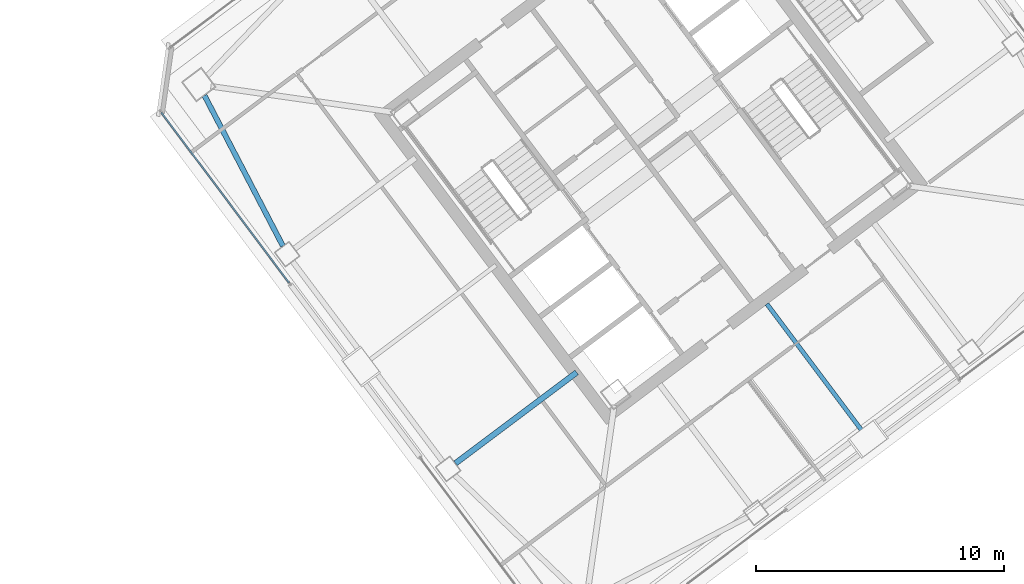
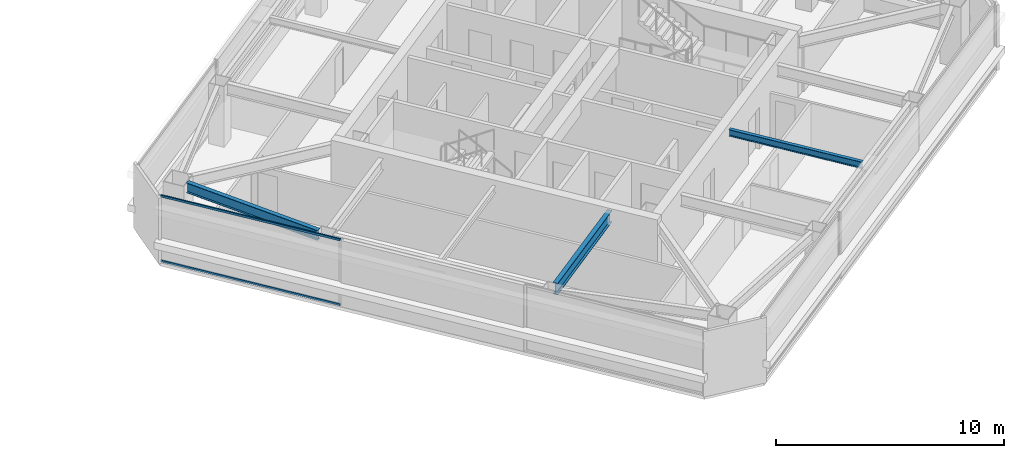
# One storey, part 19 of 39: 3 beams, 2 members, 1 element without a shape of its own.
"""IFC4 building model written with IfcOpenShell, lengths in metres."""

import ifcopenshell
import ifcopenshell.guid

model = None  # the IFC model being written
_history = None  # IfcOwnerHistory: only IFC2X3 demands one
_inside = {}  # id of a spatial element -> (the spatial element, [elements in it])
_under = {}  # id of a project, library or spatial element -> (it, [spatial elements below it])
_declared = {}  # id of a project -> (the project, [libraries it declares])
_typed = {}  # id of a type object -> (the type object, [elements of that type])
_made_of = {}  # id of a material, layer set ... -> (it, [elements and type objects made of it])


def new_model(schema):
    """Start an empty IFC model of exactly this schema.

    Asked for "IFC4X3", IfcOpenShell would pick the latest addendum, in which some entities
    have other attributes; the version numbers below select the first issue.
    IFC2X3 requires an IfcOwnerHistory on every rooted entity: one is made here for all.
    """
    global model, _history
    if schema == "IFC4X3":
        model = ifcopenshell.file(schema_version=(4, 3, 0, 0))
    else:
        model = ifcopenshell.file(schema=schema)
    _inside.clear()
    _under.clear()
    _declared.clear()
    _typed.clear()
    _made_of.clear()
    _history = None
    if model.schema == "IFC2X3":
        org = make("IfcOrganization", Name="unknown")
        user = make(
            "IfcPersonAndOrganization",
            ThePerson=make("IfcPerson", FamilyName="unknown"),
            TheOrganization=org,
        )
        app = make(
            "IfcApplication",
            ApplicationDeveloper=org,
            Version="unknown",
            ApplicationFullName="unknown",
            ApplicationIdentifier="unknown",
        )
        _history = make(
            "IfcOwnerHistory",
            OwningUser=user,
            OwningApplication=app,
            ChangeAction="ADDED",
            CreationDate=0,
        )
    return model


def make(cls, **values):
    """One entity of the class cls with the attributes given. An attribute that is None is left unset."""
    return model.create_entity(
        cls, **{name: value for name, value in values.items() if value is not None}
    )


def rooted(cls, **values):
    """An entity with a GlobalId (a new one), such as an element, a storey or a relation."""
    return make(cls, GlobalId=ifcopenshell.guid.new(), OwnerHistory=_history, **values)


def si_unit(unit_type, name, prefix=None):
    """IfcSIUnit, for example si_unit("LENGTHUNIT", "METRE", prefix="MILLI")."""
    return make("IfcSIUnit", UnitType=unit_type, Prefix=prefix, Name=name)


def assignment(units):
    """IfcUnitAssignment: the units of a project."""
    return None if units is None else make("IfcUnitAssignment", Units=units)


def point(xyz):
    """IfcCartesianPoint."""
    return None if xyz is None else make("IfcCartesianPoint", Coordinates=xyz)


def direction(xyz):
    """IfcDirection."""
    return None if xyz is None else make("IfcDirection", DirectionRatios=xyz)


def frame(location, z_axis=None, x_axis=None):
    """IfcAxis2Placement3D, a coordinate frame: its origin and axes. An axis left out is left unset."""
    return make(
        "IfcAxis2Placement3D",
        Location=point(location),
        Axis=direction(z_axis),
        RefDirection=direction(x_axis),
    )


def frame_2d(location, x_axis=None):
    """IfcAxis2Placement2D, a coordinate frame in the plane: its origin and x axis."""
    return make(
        "IfcAxis2Placement2D", Location=point(location), RefDirection=direction(x_axis)
    )


def origin():
    """The frame at (0, 0, 0) with its axes left unset."""
    return frame((0.0, 0.0, 0.0))


def origin_2d():
    """The frame at (0, 0) in the plane with its x axis left unset."""
    return frame_2d((0.0, 0.0))


def place(relative_to, where):
    """IfcLocalPlacement: puts the frame where relative to a parent placement (None: the world)."""
    return make(
        "IfcLocalPlacement", PlacementRelTo=relative_to, RelativePlacement=where
    )


def context(
    kind, dimensions, precision=None, world=None, true_north=None, identifier=None
):
    """IfcGeometricRepresentationContext, for example the 3D "Model" context."""
    return make(
        "IfcGeometricRepresentationContext",
        ContextIdentifier=identifier,
        ContextType=kind,
        CoordinateSpaceDimension=dimensions,
        Precision=precision,
        WorldCoordinateSystem=world,
        TrueNorth=true_north,
    )


def subcontext(parent, identifier, kind, view, scale=None):
    """IfcGeometricRepresentationSubContext, for example "Body" below "Model"."""
    return make(
        "IfcGeometricRepresentationSubContext",
        ContextIdentifier=identifier,
        ContextType=kind,
        ParentContext=parent,
        TargetScale=scale,
        TargetView=view,
    )


def project(units=None, contexts=None):
    """IfcProject with its units and contexts."""
    return rooted(
        "IfcProject",
        Name="project",
        RepresentationContexts=contexts,
        UnitsInContext=assignment(units),
    )


def spatial(cls, under=None, at=None, **own):
    """A site, building, storey or space (cls), placed at a placement, below another one or the project."""
    s = rooted(cls, ObjectPlacement=at, **own)
    if under is not None:
        _under.setdefault(under.id(), (under, []))[1].append(s)
    return s


def profile(cls, at=None, kind="AREA", **sizes):
    """A parametric profile (cls). Its sizes go by their IFC names, for example OverallWidth=200.0."""
    return make(cls, ProfileType=kind, Position=at, **sizes)


def hollow_rectangle(**sizes):
    """IfcRectangleHollowProfileDef."""
    return profile("IfcRectangleHollowProfileDef", **sizes)


def i_section(**sizes):
    """IfcIShapeProfileDef."""
    return profile("IfcIShapeProfileDef", **sizes)


def extrude(swept, where, along, depth):
    """IfcExtrudedAreaSolid: the profile swept, set in the frame where, extruded along a direction by depth."""
    return make(
        "IfcExtrudedAreaSolid",
        SweptArea=swept,
        Position=where,
        ExtrudedDirection=direction(along),
        Depth=depth,
    )


def shape(context_of_items, identifier, shape_type, items):
    """IfcShapeRepresentation: the items that make up one representation, for example the "Body"."""
    return make(
        "IfcShapeRepresentation",
        ContextOfItems=context_of_items,
        RepresentationIdentifier=identifier,
        RepresentationType=shape_type,
        Items=items,
    )


def material(Name=None, Category=None):
    """IfcMaterial."""
    return make("IfcMaterial", Name=Name, Category=Category)


def material_profile(
    of_material, cross_section, Name=None, Category=None, Priority=None
):
    """IfcMaterialProfile: a cross section and its material."""
    return make(
        "IfcMaterialProfile",
        Name=Name,
        Material=of_material,
        Profile=cross_section,
        Priority=Priority,
        Category=Category,
    )


def profile_set(profiles, Name=None, composite=None):
    """IfcMaterialProfileSet."""
    return make(
        "IfcMaterialProfileSet",
        Name=Name,
        MaterialProfiles=profiles,
        CompositeProfile=composite,
    )


def made_of(thing, what):
    """Note that an element or type object is made of a material, layer set ...; save() writes the relation."""
    if what is not None:
        _made_of.setdefault(what.id(), (what, []))[1].append(thing)
    return thing


def type_object(cls, material=None, **own):
    """A type object (cls), such as IfcWallType, which elements share."""
    return made_of(rooted(cls, **own), material)


def element(
    cls,
    number,
    at=None,
    inside=None,
    cuts=None,
    type_object=None,
    material=None,
    context=None,
    identifier="Body",
    shape_type=None,
    held_by="IfcProductDefinitionShape",
    body=None,
    shapes=None,
    **own,
):
    """One element of the class cls, such as IfcWall. Its Tag is "e" and its number.

    at: its placement. inside: the storey or other place that contains it. cuts: it is an
    opening in that element (IfcRelVoidsElement). A single representation is given by context,
    identifier, shape_type and body (its items); several are given by shapes. held_by: the class
    of the entity that holds the representations. save() writes the other relations.
    """
    e = rooted(cls, Tag="e%d" % number, ObjectPlacement=at, **own)
    if body is not None:
        shapes = [shape(context, identifier, shape_type, body)]
    if shapes is not None:
        e.Representation = make(held_by, Representations=shapes)
    if inside is not None:
        _inside.setdefault(inside.id(), (inside, []))[1].append(e)
    if cuts is not None:
        rooted(
            "IfcRelVoidsElement", RelatingBuildingElement=cuts, RelatedOpeningElement=e
        )
    if type_object is not None:
        _typed.setdefault(type_object.id(), (type_object, []))[1].append(e)
    return made_of(e, material)


def aggregate(whole, parts):
    """IfcRelAggregates: a whole, such as a stair, and the parts it consists of."""
    return rooted("IfcRelAggregates", RelatingObject=whole, RelatedObjects=parts)


def save(model, path):
    """Write the relations noted so far, then the file.

    IfcRelAggregates (storeys below a building ...), IfcRelContainedInSpatialStructure (elements
    in a storey), IfcRelDefinesByType, IfcRelAssociatesMaterial and IfcRelDeclares: one each for
    every whole, place, type object, material and project.
    """
    for whole, parts in _under.values():
        aggregate(whole, parts)
    for where, things in _inside.values():
        rooted(
            "IfcRelContainedInSpatialStructure",
            RelatedElements=things,
            RelatingStructure=where,
        )
    for kind, things in _typed.values():
        rooted("IfcRelDefinesByType", RelatedObjects=things, RelatingType=kind)
    for what, things in _made_of.values():
        rooted("IfcRelAssociatesMaterial", RelatedObjects=things, RelatingMaterial=what)
    for by, libraries in _declared.values():
        rooted("IfcRelDeclares", RelatingContext=by, RelatedDefinitions=libraries)
    model.write(path)


model = new_model("IFC4")

# Units and contexts
model_context = context("Model", 3, precision=1e-05, world=origin(), true_north=direction((0.0, 1.0)))
body_context = subcontext(model_context, "Body", "Model", "MODEL_VIEW")
ifc_project = project(units=[si_unit("LENGTHUNIT", "METRE"), si_unit("AREAUNIT", "SQUARE_METRE"), si_unit("VOLUMEUNIT", "CUBIC_METRE"), si_unit("PLANEANGLEUNIT", "RADIAN"), si_unit("MASSUNIT", "GRAM", prefix="KILO")], contexts=[model_context])

# Site, building, storey
site_placement = place(None, origin())
site = spatial("IfcSite", under=ifc_project, at=site_placement, CompositionType="ELEMENT")
building_placement = place(site_placement, origin())
building = spatial("IfcBuilding", under=site, at=building_placement, Name="Tashvorn Skyway Center", CompositionType="ELEMENT")
storey_placement = place(building_placement, frame((0.0, 0.0, 243.25)))
storey = spatial("IfcBuildingStorey", under=building, at=storey_placement, Name="L66", CompositionType="ELEMENT", Elevation=243.25)

# Beams
ifc_material_1 = material(Name="Steel ASTM A992 Grade 50", Category="steel")
ifc_material_profile_1 = material_profile(ifc_material_1, i_section(OverallWidth=0.22998046875, OverallDepth=0.616943359375, WebThickness=0.01318359375, FlangeThickness=0.022216796875, at=origin_2d()), Name="W24X94")
ifc_profile_set_1 = profile_set([ifc_material_profile_1], Name="Steel ASTM A992 Grade 50")
beam_type_1 = type_object("IfcBeamType", Name="BM-BEAM-W24X94", PredefinedType="BEAM", material=ifc_profile_set_1)
beam_1_placement = place(storey_placement, frame((106.135986328125, 19.35205078125, 2.94140625), z_axis=(0.800014407953, 0.599980788915, 0.0), x_axis=(-0.599980788915, 0.800014407953, 0.0)))
element("IfcBeam", 1, at=beam_1_placement, inside=storey, type_object=beam_type_1, Name="Tower 2 L66 Primary Floor Girder FC-W2", PredefinedType="BEAM", context=body_context, shape_type="SweptSolid", body=[
    extrude(i_section(OverallWidth=0.22998046875, OverallDepth=0.616943359375, WebThickness=0.01318359375, FlangeThickness=0.022216796875, at=origin_2d()), origin(), (0.0, 0.0, 1.0), 6.10009765625),
])
ifc_material_profile_2 = material_profile(ifc_material_1, i_section(OverallWidth=0.1708984375, OverallDepth=0.35498046875, WebThickness=0.007080078125, FlangeThickness=0.01171875, at=origin_2d()), Name="W14X34")
ifc_profile_set_2 = profile_set([ifc_material_profile_2], Name="Steel ASTM A992 Grade 50")
beam_type_2 = type_object("IfcBeamType", Name="BM-JOIST-W14X34", PredefinedType="JOIST", material=ifc_profile_set_2)
beam_2_placement = place(storey_placement, frame((118.674072265625, 25.76806640625, 3.072509765625), z_axis=(0.599981581373, -0.800013813639, 0.0), x_axis=(0.800013813639, 0.599981581373, 0.0)))
element("IfcBeam", 2, at=beam_2_placement, inside=storey, type_object=beam_type_2, Name="Tower 2 L66 Secondary Composite Joist JS", PredefinedType="JOIST", context=body_context, shape_type="SweptSolid", body=[
    extrude(i_section(OverallWidth=0.1708984375, OverallDepth=0.35498046875, WebThickness=0.007080078125, FlangeThickness=0.01171875, at=origin_2d()), origin(), (0.0, 0.0, 1.0), 6.362548828125),
])
ifc_material_profile_3 = material_profile(ifc_material_1, i_section(OverallWidth=0.2109375, OverallDepth=0.5390625, WebThickness=0.01171875, FlangeThickness=0.018798828125, at=origin_2d()), Name="W21X73")
ifc_profile_set_3 = profile_set([ifc_material_profile_3], Name="Steel ASTM A992 Grade 50")
beam_type_3 = type_object("IfcBeamType", Name="BM-SPANDREL-W21X73", PredefinedType="SPANDREL", material=ifc_profile_set_3)
beam_3_placement = place(storey_placement, frame((96.02880859375, 34.1611328125, 2.98046875), z_axis=(0.462204749472, -0.886773234579, 0.0), x_axis=(0.886773234579, 0.462204749472, 0.0)))
element("IfcBeam", 3, at=beam_3_placement, inside=storey, type_object=beam_type_3, Name="Tower 2 L66 Spandrel Beam 10", PredefinedType="SPANDREL", context=body_context, shape_type="SweptSolid", body=[
    extrude(i_section(OverallWidth=0.2109375, OverallDepth=0.5390625, WebThickness=0.01171875, FlangeThickness=0.018798828125, at=origin_2d()), origin(), (0.0, 0.0, 1.0), 6.837158203125),
])

# Curtain wall, members
ifc_material_2 = material(Name="Thermally broken bronze-anodized aluminium 6063-T6", Category="aluminium")
curtain_wall_type = type_object("IfcCurtainWallType", Name="CW-CW-Z5", PredefinedType="NOTDEFINED", material=ifc_material_2)
curtain_wall_placement = place(storey_placement, origin())
curtain_wall = element("IfcCurtainWall", 4, at=curtain_wall_placement, inside=storey, type_object=curtain_wall_type, Name="Tower 2 L66 West Unitised Curtain Wall Glazing Group 2", PredefinedType="NOTDEFINED")
ifc_material_profile_4 = material_profile(ifc_material_2, hollow_rectangle(XDim=0.070068359375, YDim=0.114990234375, WallThickness=0.00390625, at=origin_2d()), Name="ALU-TRAN-70x115")
ifc_profile_set_4 = profile_set([ifc_material_profile_4], Name="Thermally broken bronze-anodized aluminium 6063-T6")
member_type = type_object("IfcMemberType", Name="CWT-CW-Z5", PredefinedType="USERDEFINED", material=ifc_profile_set_4)
member_1_placement = place(storey_placement, frame((99.43798828125, 26.615966796875, 0.034912109375), z_axis=(-0.599995447241, 0.800003414549, 0.0), x_axis=(-0.800003414549, -0.599995447241, 0.0)))
member_1 = element("IfcMember", 5, at=member_1_placement, type_object=member_type, Name="CW-Z5 transom 1.1", ObjectType="TRANSOM", PredefinedType="USERDEFINED", context=body_context, shape_type="SweptSolid", body=[
    extrude(hollow_rectangle(XDim=0.070068359375, YDim=0.114990234375, WallThickness=0.00390625, at=origin_2d()), origin(), (0.0, 0.0, 1.0), 8.580078125),
])
member_2_placement = place(storey_placement, frame((99.43798828125, 26.615966796875, 3.514892578125), z_axis=(-0.599995447241, 0.800003414549, 0.0), x_axis=(-0.800003414549, -0.599995447241, 0.0)))
member_2 = element("IfcMember", 6, at=member_2_placement, type_object=member_type, Name="CW-Z5 transom 1.2", ObjectType="TRANSOM", PredefinedType="USERDEFINED", context=body_context, shape_type="SweptSolid", body=[
    extrude(hollow_rectangle(XDim=0.070068359375, YDim=0.114990234375, WallThickness=0.00390625, at=origin_2d()), origin(), (0.0, 0.0, 1.0), 8.580078125),
])
aggregate(curtain_wall, [member_1, member_2])

save(model, "model.ifc")
